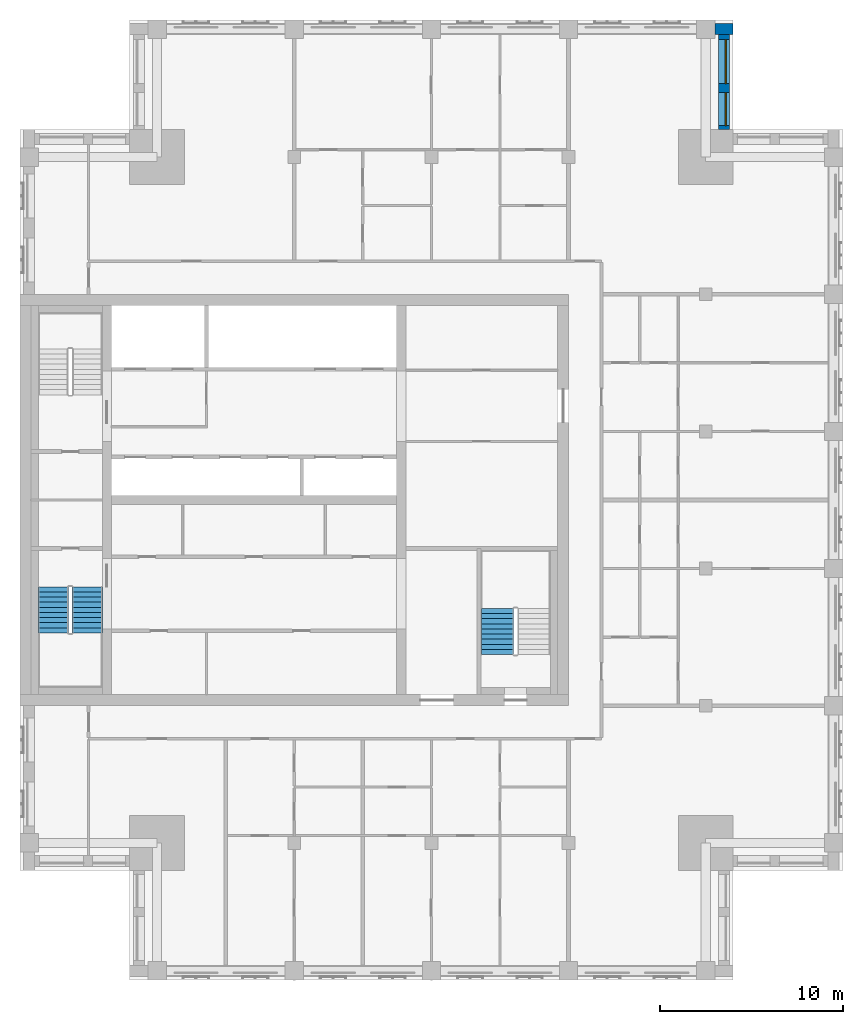
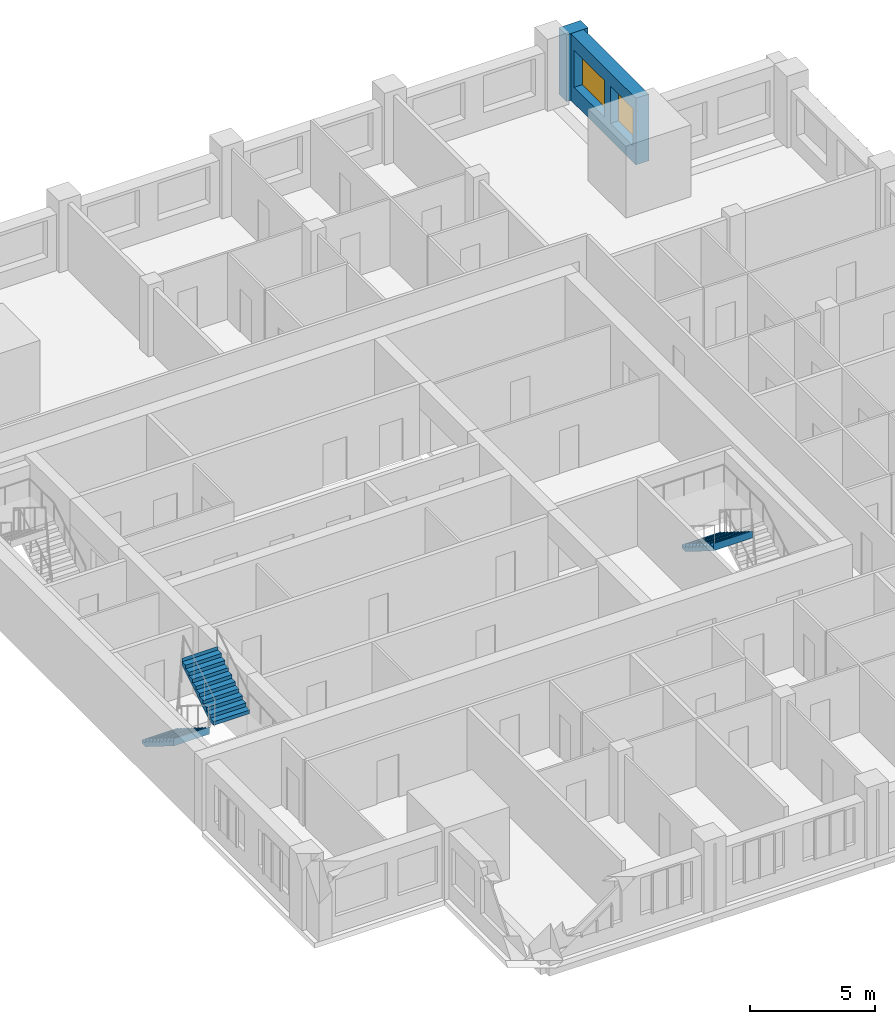
# One storey, part 8 of 10: 3 stair flights, 2 walls, 2 windows, 2 openings, 2 elements without a shape of their own.
"""IFC4 building model written with IfcOpenShell, lengths in metres."""

from ifc_helpers import new_model, si_unit, direction, frame, frame_2d, origin, place, context, subcontext, project, spatial, polyline, rectangle, outline, extrude, material, layer, layer_set, type_object, element, fill, aggregate, save


model = new_model("IFC4")

# Units and contexts
model_context = context("Model", 3, precision=1e-05, world=origin(), true_north=direction((0.0, 1.0)))
body_context = subcontext(model_context, "Body", "Model", "MODEL_VIEW")
ifc_project = project(units=[si_unit("LENGTHUNIT", "METRE"), si_unit("AREAUNIT", "SQUARE_METRE"), si_unit("VOLUMEUNIT", "CUBIC_METRE"), si_unit("PLANEANGLEUNIT", "RADIAN"), si_unit("MASSUNIT", "GRAM", prefix="KILO")], contexts=[model_context])

# Site, building, storey
site_placement = place(None, origin())
site = spatial("IfcSite", under=ifc_project, at=site_placement, CompositionType="ELEMENT")
building_placement = place(site_placement, origin())
building = spatial("IfcBuilding", under=site, at=building_placement, Name="Tamorin Gate", CompositionType="ELEMENT")
storey_placement = place(building_placement, frame((0.0, 0.0, 280.199951171875)))
storey = spatial("IfcBuildingStorey", under=building, at=storey_placement, Name="L70", CompositionType="ELEMENT", Elevation=280.199951171875)

# Wall, openings, windows
ifc_material_1 = material(Name="Precast concrete C40/50", Category="concrete")
ifc_layer = layer(ifc_material_1, 0.60009765625)
ifc_layer_set = layer_set([ifc_layer], Name="Precast concrete C40/50")
wall_type = type_object("IfcWallType", Name="Board-marked concrete facade panel 600", PredefinedType="SOLIDWALL", material=ifc_layer_set)
wall_1_placement = place(storey_placement, frame((68.5, 91.5, 0.0), z_axis=(0.0, 0.0, 1.0), x_axis=(0.0, 1.0, 0.0)))
wall_1 = element("IfcWall", 1, at=wall_1_placement, inside=storey, type_object=wall_type, Name="Facade panel", PredefinedType="SOLIDWALL", context=body_context, shape_type="SweptSolid", body=[
    extrude(rectangle(XDim=5.199951171875, YDim=0.60009765625, at=frame_2d((2.60009765625, 0.0))), origin(), (0.0, 0.0, 1.0), 3.25),
])
opening_1_placement = place(wall_1_placement, frame((0.22509765625, 0.0, 0.800048828125)))
opening_1 = element("IfcOpeningElement", 2, at=opening_1_placement, cuts=wall_1, Name="Opening WN2", PredefinedType="OPENING", context=body_context, shape_type="SweptSolid", body=[
    extrude(rectangle(XDim=1.800048828125, YDim=1.800048828125, at=frame_2d((0.89990234375, 0.89990234375))), frame((0.0, 0.31005859375, 0.0), z_axis=(0.0, -1.0, 0.0), x_axis=(1.0, 0.0, 0.0)), (0.0, 0.0, 1.0), 0.6201171875),
])
opening_2_placement = place(wall_1_placement, frame((2.52490234375, 0.0, 0.800048828125)))
opening_2 = element("IfcOpeningElement", 3, at=opening_2_placement, cuts=wall_1, Name="Opening WN1", PredefinedType="OPENING", context=body_context, shape_type="SweptSolid", body=[
    extrude(rectangle(XDim=2.39990234375, YDim=1.800048828125, at=frame_2d((1.199951171875, 0.89990234375))), frame((0.0, 0.31005859375, 0.0), z_axis=(0.0, -1.0, 0.0), x_axis=(1.0, 0.0, 0.0)), (0.0, 0.0, 1.0), 0.6201171875),
])
ifc_material_2 = material(Name="Clear glass in aluminium frame", Category="aluminium")
window_type_1 = type_object("IfcWindowType", Name="Deep-set window 1800x1800", PartitioningType="SINGLE_PANEL", PredefinedType="WINDOW", material=ifc_material_2)
window_1_placement = place(opening_1_placement, origin())
window_1 = element("IfcWindow", 4, at=window_1_placement, inside=storey, type_object=window_type_1, Name="Deep-set window", OverallHeight=1.800048828125, OverallWidth=1.800048828125, PartitioningType="SINGLE_PANEL", PredefinedType="WINDOW", context=body_context, shape_type="SweptSolid", body=[
    extrude(rectangle(XDim=1.800048828125, YDim=1.800048828125, at=frame_2d((0.89990234375, 0.89990234375))), frame((0.0, -0.070068359375, 0.0), z_axis=(0.0, -1.0, 0.0), x_axis=(1.0, 0.0, 0.0)), (0.0, 0.0, 1.0), 0.06005859375),
])
fill(opening_1, window_1)
window_type_2 = type_object("IfcWindowType", Name="Deep-set window 2400x1800", PartitioningType="SINGLE_PANEL", PredefinedType="WINDOW", material=ifc_material_2)
window_2_placement = place(opening_2_placement, origin())
window_2 = element("IfcWindow", 5, at=window_2_placement, inside=storey, type_object=window_type_2, Name="Deep-set window", OverallHeight=1.800048828125, OverallWidth=2.39990234375, PartitioningType="SINGLE_PANEL", PredefinedType="WINDOW", context=body_context, shape_type="SweptSolid", body=[
    extrude(rectangle(XDim=2.39990234375, YDim=1.800048828125, at=frame_2d((1.199951171875, 0.89990234375))), frame((0.0, -0.070068359375, 0.0), z_axis=(0.0, -1.0, 0.0), x_axis=(1.0, 0.0, 0.0)), (0.0, 0.0, 1.0), 0.06005859375),
])
fill(opening_2, window_2)

# Wall
wall_2_placement = place(storey_placement, frame((69.0, 97.0, 0.0), z_axis=(0.0, 0.0, 1.0), x_axis=(-1.0, 0.0, 0.0)))
element("IfcWall", 6, at=wall_2_placement, inside=storey, type_object=wall_type, Name="Facade panel", PredefinedType="SOLIDWALL", context=body_context, shape_type="SweptSolid", body=[
    extrude(rectangle(XDim=1.0, YDim=0.60009765625, at=frame_2d((0.5, 0.0))), origin(), (0.0, 0.0, 1.0), 3.25),
])

# Stair, stair flights
ifc_material_3 = material(Name="Concrete C40/50", Category="concrete")
stair_type = type_object("IfcStairType", Name="Exit stair", PredefinedType="HALF_TURN_STAIR", material=ifc_material_3)
stair_1_placement = place(storey_placement, origin())
stair_1 = element("IfcStair", 7, at=stair_1_placement, inside=storey, type_object=stair_type, Name="L70 stair ST1", PredefinedType="HALF_TURN_STAIR")
stair_flight_type = type_object("IfcStairFlightType", Name="Exit stair flight", PredefinedType="STRAIGHT", material=ifc_material_3)
stair_flight_1_placement = place(storey_placement, frame((31.824951171875, 66.5, 0.0), z_axis=(0.0, 0.0, 1.0), x_axis=(0.0, -1.0, 0.0)))
stair_flight_1 = element("IfcStairFlight", 8, at=stair_flight_1_placement, type_object=stair_flight_type, Name="ST1 flight 1", NumberOfRisers=10, NumberOfTreads=9, PredefinedType="STRAIGHT", RiserHeight=0.175, TreadLength=0.28, context=body_context, shape_type="SweptSolid", body=[
    extrude(outline(polyline([(-0.00048828125, 0.0), (-0.00048828125, 0.001708984375), (-0.00048828125, 0.00341796875), (-0.00048828125, 0.005126953125), (-0.00048828125, 0.0068359375), (-0.00048828125, 0.008544921875), (-0.00048828125, 0.010498046875), (-0.00048828125, 0.01220703125), (-0.00048828125, 0.013916015625), (-0.00048828125, 0.015625), (-0.00048828125, 0.017333984375), (-0.00048828125, 0.01904296875), (-0.00048828125, 0.020751953125), (-0.00048828125, 0.0224609375), (-0.00048828125, 0.024169921875), (-0.00048828125, 0.02587890625), (-0.00048828125, 0.02783203125), (-0.00048828125, 0.029541015625), (-0.00048828125, 0.03125), (-0.00048828125, 0.032958984375), (-0.00048828125, 0.03466796875), (-0.00048828125, 0.036376953125), (-0.00048828125, 0.0380859375), (-0.00048828125, 0.039794921875), (-0.00048828125, 0.04150390625), (-0.00048828125, 0.043212890625), (-0.00048828125, 0.045166015625), (-0.00048828125, 0.046875), (-0.00048828125, 0.048583984375), (-0.00048828125, 0.05029296875), (-0.00048828125, 0.052001953125), (-0.00048828125, 0.0537109375), (-0.00048828125, 0.055419921875), (-0.00048828125, 0.05712890625), (-0.00048828125, 0.058837890625), (-0.00048828125, 0.060546875), (-0.00048828125, 0.062255859375), (-0.00048828125, 0.064208984375), (-0.00048828125, 0.06591796875), (-0.00048828125, 0.067626953125), (-0.00048828125, 0.0693359375), (-0.00048828125, 0.071044921875), (-0.00048828125, 0.07275390625), (-0.00048828125, 0.074462890625), (-0.00048828125, 0.076171875), (-0.00048828125, 0.077880859375), (-0.00048828125, 0.07958984375), (-0.00048828125, 0.08154296875), (-0.00048828125, 0.083251953125), (-0.00048828125, 0.0849609375), (-0.00048828125, 0.086669921875), (-0.00048828125, 0.08837890625), (-0.00048828125, 0.090087890625), (-0.00048828125, 0.091796875), (-0.00048828125, 0.093505859375), (-0.00048828125, 0.09521484375), (-0.00048828125, 0.096923828125), (-0.00048828125, 0.098876953125), (-0.00048828125, 0.1005859375), (-0.00048828125, 0.102294921875), (-0.00048828125, 0.10400390625), (-0.00048828125, 0.105712890625), (-0.00048828125, 0.107421875), (-0.00048828125, 0.109130859375), (-0.00048828125, 0.11083984375), (-0.00048828125, 0.112548828125), (-0.00048828125, 0.1142578125), (-0.00048828125, 0.1162109375), (-0.00048828125, 0.117919921875), (-0.00048828125, 0.11962890625), (-0.00048828125, 0.121337890625), (-0.00048828125, 0.123046875), (-0.00048828125, 0.124755859375), (-0.00048828125, 0.12646484375), (-0.00048828125, 0.128173828125), (-0.00048828125, 0.1298828125), (-0.00048828125, 0.131591796875), (-0.00048828125, 0.13330078125), (-0.00048828125, 0.13525390625), (-0.00048828125, 0.136962890625), (-0.00048828125, 0.138671875), (-0.00048828125, 0.140380859375), (-0.00048828125, 0.14208984375), (-0.00048828125, 0.143798828125), (-0.00048828125, 0.1455078125), (-0.00048828125, 0.147216796875), (-0.00048828125, 0.14892578125), (-0.00048828125, 0.150634765625), (-0.00048828125, 0.152587890625), (-0.00048828125, 0.154296875), (-0.00048828125, 0.156005859375), (-0.00048828125, 0.15771484375), (-0.00048828125, 0.159423828125), (-0.00048828125, 0.1611328125), (-0.00048828125, 0.162841796875), (-0.00048828125, 0.16455078125), (-0.00048828125, 0.166259765625), (-0.00048828125, 0.16796875), (-0.00048828125, 0.169921875), (-0.00048828125, 0.171630859375), (-0.00048828125, 0.17333984375), (-0.00048828125, 0.175048828125), (0.280029296875, 0.175048828125), (0.280029296875, 0.35009765625), (0.56005859375, 0.35009765625), (0.56005859375, 0.52490234375), (0.840087890625, 0.52490234375), (0.840087890625, 0.699951171875), (1.1201171875, 0.699951171875), (1.1201171875, 0.875), (1.39990234375, 0.875), (1.39990234375, 1.050048828125), (1.679931640625, 1.050048828125), (1.679931640625, 1.22509765625), (1.9599609375, 1.22509765625), (1.9599609375, 1.39990234375), (2.239990234375, 1.39990234375), (2.239990234375, 1.574951171875), (2.52001953125, 1.574951171875), (2.52001953125, 1.75), (2.5205078125, 1.75), (2.5205078125, 1.74658203125), (2.5205078125, 1.742919921875), (2.5205078125, 1.739501953125), (2.5205078125, 1.736083984375), (2.5205078125, 1.732666015625), (2.5205078125, 1.72900390625), (2.5205078125, 1.7255859375), (2.5205078125, 1.72216796875), (2.5205078125, 1.71875), (2.5205078125, 1.715087890625), (2.5205078125, 1.711669921875), (2.5205078125, 1.708251953125), (2.5205078125, 1.704833984375), (2.5205078125, 1.701171875), (2.5205078125, 1.69775390625), (2.5205078125, 1.6943359375), (2.5205078125, 1.690673828125), (2.5205078125, 1.687255859375), (2.5205078125, 1.683837890625), (2.5205078125, 1.680419921875), (2.5205078125, 1.6767578125), (2.5205078125, 1.67333984375), (2.5205078125, 1.669921875), (2.5205078125, 1.66650390625), (2.5205078125, 1.662841796875), (2.5205078125, 1.659423828125), (2.5205078125, 1.656005859375), (2.5205078125, 1.652587890625), (2.5205078125, 1.64892578125), (2.5205078125, 1.6455078125), (2.5205078125, 1.64208984375), (2.5205078125, 1.638427734375), (2.5205078125, 1.635009765625), (2.5205078125, 1.631591796875), (2.5205078125, 1.628173828125), (2.5205078125, 1.62451171875), (2.5205078125, 1.62109375), (2.5205078125, 1.61767578125), (2.5205078125, 1.6142578125), (2.5205078125, 1.610595703125), (2.5205078125, 1.607177734375), (2.5205078125, 1.603759765625), (2.5205078125, 1.600341796875), (2.5205078125, 1.5966796875), (2.5205078125, 1.59326171875), (2.5205078125, 1.58984375), (2.5205078125, 1.58642578125), (2.5205078125, 1.582763671875), (2.5205078125, 1.579345703125), (2.5205078125, 1.575927734375), (2.5205078125, 1.572265625), (2.5205078125, 1.56884765625), (2.5205078125, 1.5654296875), (2.5205078125, 1.56201171875), (2.5205078125, 1.558349609375), (2.5205078125, 1.554931640625), (2.5205078125, 1.551513671875), (2.5205078125, 1.548095703125), (2.5205078125, 1.54443359375), (2.5205078125, 1.541015625), (2.5205078125, 1.53759765625), (2.5205078125, 1.5341796875), (2.5205078125, 1.530517578125), (2.5205078125, 1.527099609375), (2.5205078125, 1.523681640625), (2.5205078125, 1.52001953125), (2.5205078125, 1.5166015625), (2.5205078125, 1.51318359375), (2.5205078125, 1.509765625), (2.5205078125, 1.506103515625), (2.5205078125, 1.502685546875), (2.5205078125, 1.499267578125), (2.5205078125, 1.495849609375), (2.5205078125, 1.4921875), (2.5205078125, 1.48876953125), (2.5205078125, 1.4853515625), (2.5205078125, 1.48193359375), (2.5205078125, 1.478271484375), (2.5205078125, 1.474853515625), (2.5205078125, 1.471435546875), (2.5205078125, 1.4677734375), (2.5205078125, 1.46435546875), (2.5205078125, 1.4609375), (2.5205078125, 1.45751953125), (2.5205078125, 1.453857421875), (2.5205078125, 1.450439453125), (2.5205078125, 1.447021484375), (2.5205078125, 1.443603515625), (2.5205078125, 1.43994140625), (2.5205078125, 1.4365234375), (2.5205078125, 1.43310546875), (2.5205078125, 1.4296875), (2.5205078125, 1.426025390625), (2.5205078125, 1.422607421875), (2.5205078125, 1.419189453125), (2.5205078125, 1.41552734375), (2.5205078125, 1.412109375), (2.5205078125, 1.40869140625), (2.5205078125, 1.4052734375), (2.5205078125, 1.401611328125), (2.5205078125, 1.398193359375), (2.52001953125, 1.398193359375), (0.28271484375, 0.0), (-0.00048828125, 0.0)])), frame((0.0, 0.824951171875, 0.0), z_axis=(0.0, -1.0, 0.0), x_axis=(1.0, 0.0, 0.0)), (0.0, 0.0, 1.0), 1.64990234375),
])
stair_flight_2_placement = place(storey_placement, frame((33.675048828125, 63.97998046875, 1.75), z_axis=(0.0, 0.0, 1.0), x_axis=(0.0, 1.0, 0.0)))
stair_flight_2 = element("IfcStairFlight", 9, at=stair_flight_2_placement, type_object=stair_flight_type, Name="ST1 flight 2", NumberOfRisers=10, NumberOfTreads=9, PredefinedType="STRAIGHT", RiserHeight=0.175, TreadLength=0.28, context=body_context, shape_type="SweptSolid", body=[
    extrude(outline(polyline([(-0.00048828125, 0.0), (-0.00048828125, 0.001708984375), (-0.00048828125, 0.00341796875), (-0.00048828125, 0.005126953125), (-0.00048828125, 0.0068359375), (-0.00048828125, 0.008544921875), (-0.00048828125, 0.010498046875), (-0.00048828125, 0.01220703125), (-0.00048828125, 0.013916015625), (-0.00048828125, 0.015625), (-0.00048828125, 0.017333984375), (-0.00048828125, 0.01904296875), (-0.00048828125, 0.020751953125), (-0.00048828125, 0.0224609375), (-0.00048828125, 0.024169921875), (-0.00048828125, 0.02587890625), (-0.00048828125, 0.02783203125), (-0.00048828125, 0.029541015625), (-0.00048828125, 0.03125), (-0.00048828125, 0.032958984375), (-0.00048828125, 0.03466796875), (-0.00048828125, 0.036376953125), (-0.00048828125, 0.0380859375), (-0.00048828125, 0.039794921875), (-0.00048828125, 0.04150390625), (-0.00048828125, 0.043212890625), (-0.00048828125, 0.045166015625), (-0.00048828125, 0.046875), (-0.00048828125, 0.048583984375), (-0.00048828125, 0.05029296875), (-0.00048828125, 0.052001953125), (-0.00048828125, 0.0537109375), (-0.00048828125, 0.055419921875), (-0.00048828125, 0.05712890625), (-0.00048828125, 0.058837890625), (-0.00048828125, 0.060546875), (-0.00048828125, 0.062255859375), (-0.00048828125, 0.064208984375), (-0.00048828125, 0.06591796875), (-0.00048828125, 0.067626953125), (-0.00048828125, 0.0693359375), (-0.00048828125, 0.071044921875), (-0.00048828125, 0.07275390625), (-0.00048828125, 0.074462890625), (-0.00048828125, 0.076171875), (-0.00048828125, 0.077880859375), (-0.00048828125, 0.07958984375), (-0.00048828125, 0.08154296875), (-0.00048828125, 0.083251953125), (-0.00048828125, 0.0849609375), (-0.00048828125, 0.086669921875), (-0.00048828125, 0.08837890625), (-0.00048828125, 0.090087890625), (-0.00048828125, 0.091796875), (-0.00048828125, 0.093505859375), (-0.00048828125, 0.09521484375), (-0.00048828125, 0.096923828125), (-0.00048828125, 0.098876953125), (-0.00048828125, 0.1005859375), (-0.00048828125, 0.102294921875), (-0.00048828125, 0.10400390625), (-0.00048828125, 0.105712890625), (-0.00048828125, 0.107421875), (-0.00048828125, 0.109130859375), (-0.00048828125, 0.11083984375), (-0.00048828125, 0.112548828125), (-0.00048828125, 0.1142578125), (-0.00048828125, 0.1162109375), (-0.00048828125, 0.117919921875), (-0.00048828125, 0.11962890625), (-0.00048828125, 0.121337890625), (-0.00048828125, 0.123046875), (-0.00048828125, 0.124755859375), (-0.00048828125, 0.12646484375), (-0.00048828125, 0.128173828125), (-0.00048828125, 0.1298828125), (-0.00048828125, 0.131591796875), (-0.00048828125, 0.13330078125), (-0.00048828125, 0.13525390625), (-0.00048828125, 0.136962890625), (-0.00048828125, 0.138671875), (-0.00048828125, 0.140380859375), (-0.00048828125, 0.14208984375), (-0.00048828125, 0.143798828125), (-0.00048828125, 0.1455078125), (-0.00048828125, 0.147216796875), (-0.00048828125, 0.14892578125), (-0.00048828125, 0.150634765625), (-0.00048828125, 0.152587890625), (-0.00048828125, 0.154296875), (-0.00048828125, 0.156005859375), (-0.00048828125, 0.15771484375), (-0.00048828125, 0.159423828125), (-0.00048828125, 0.1611328125), (-0.00048828125, 0.162841796875), (-0.00048828125, 0.16455078125), (-0.00048828125, 0.166259765625), (-0.00048828125, 0.16796875), (-0.00048828125, 0.169921875), (-0.00048828125, 0.171630859375), (-0.00048828125, 0.17333984375), (-0.00048828125, 0.175048828125), (0.280029296875, 0.175048828125), (0.280029296875, 0.35009765625), (0.56005859375, 0.35009765625), (0.56005859375, 0.52490234375), (0.840087890625, 0.52490234375), (0.840087890625, 0.699951171875), (1.1201171875, 0.699951171875), (1.1201171875, 0.875), (1.39990234375, 0.875), (1.39990234375, 1.050048828125), (1.679931640625, 1.050048828125), (1.679931640625, 1.22509765625), (1.9599609375, 1.22509765625), (1.9599609375, 1.39990234375), (2.239990234375, 1.39990234375), (2.239990234375, 1.574951171875), (2.52001953125, 1.574951171875), (2.52001953125, 1.75), (2.5205078125, 1.75), (2.5205078125, 1.74658203125), (2.5205078125, 1.742919921875), (2.5205078125, 1.739501953125), (2.5205078125, 1.736083984375), (2.5205078125, 1.732666015625), (2.5205078125, 1.72900390625), (2.5205078125, 1.7255859375), (2.5205078125, 1.72216796875), (2.5205078125, 1.71875), (2.5205078125, 1.715087890625), (2.5205078125, 1.711669921875), (2.5205078125, 1.708251953125), (2.5205078125, 1.704833984375), (2.5205078125, 1.701171875), (2.5205078125, 1.69775390625), (2.5205078125, 1.6943359375), (2.5205078125, 1.690673828125), (2.5205078125, 1.687255859375), (2.5205078125, 1.683837890625), (2.5205078125, 1.680419921875), (2.5205078125, 1.6767578125), (2.5205078125, 1.67333984375), (2.5205078125, 1.669921875), (2.5205078125, 1.66650390625), (2.5205078125, 1.662841796875), (2.5205078125, 1.659423828125), (2.5205078125, 1.656005859375), (2.5205078125, 1.652587890625), (2.5205078125, 1.64892578125), (2.5205078125, 1.6455078125), (2.5205078125, 1.64208984375), (2.5205078125, 1.638427734375), (2.5205078125, 1.635009765625), (2.5205078125, 1.631591796875), (2.5205078125, 1.628173828125), (2.5205078125, 1.62451171875), (2.5205078125, 1.62109375), (2.5205078125, 1.61767578125), (2.5205078125, 1.6142578125), (2.5205078125, 1.610595703125), (2.5205078125, 1.607177734375), (2.5205078125, 1.603759765625), (2.5205078125, 1.600341796875), (2.5205078125, 1.5966796875), (2.5205078125, 1.59326171875), (2.5205078125, 1.58984375), (2.5205078125, 1.58642578125), (2.5205078125, 1.582763671875), (2.5205078125, 1.579345703125), (2.5205078125, 1.575927734375), (2.5205078125, 1.572265625), (2.5205078125, 1.56884765625), (2.5205078125, 1.5654296875), (2.5205078125, 1.56201171875), (2.5205078125, 1.558349609375), (2.5205078125, 1.554931640625), (2.5205078125, 1.551513671875), (2.5205078125, 1.548095703125), (2.5205078125, 1.54443359375), (2.5205078125, 1.541015625), (2.5205078125, 1.53759765625), (2.5205078125, 1.5341796875), (2.5205078125, 1.530517578125), (2.5205078125, 1.527099609375), (2.5205078125, 1.523681640625), (2.5205078125, 1.52001953125), (2.5205078125, 1.5166015625), (2.5205078125, 1.51318359375), (2.5205078125, 1.509765625), (2.5205078125, 1.506103515625), (2.5205078125, 1.502685546875), (2.5205078125, 1.499267578125), (2.5205078125, 1.495849609375), (2.5205078125, 1.4921875), (2.5205078125, 1.48876953125), (2.5205078125, 1.4853515625), (2.5205078125, 1.48193359375), (2.5205078125, 1.478271484375), (2.5205078125, 1.474853515625), (2.5205078125, 1.471435546875), (2.5205078125, 1.4677734375), (2.5205078125, 1.46435546875), (2.5205078125, 1.4609375), (2.5205078125, 1.45751953125), (2.5205078125, 1.453857421875), (2.5205078125, 1.450439453125), (2.5205078125, 1.447021484375), (2.5205078125, 1.443603515625), (2.5205078125, 1.43994140625), (2.5205078125, 1.4365234375), (2.5205078125, 1.43310546875), (2.5205078125, 1.4296875), (2.5205078125, 1.426025390625), (2.5205078125, 1.422607421875), (2.5205078125, 1.419189453125), (2.5205078125, 1.41552734375), (2.5205078125, 1.412109375), (2.5205078125, 1.40869140625), (2.5205078125, 1.4052734375), (2.5205078125, 1.401611328125), (2.5205078125, 1.398193359375), (2.52001953125, 1.398193359375), (0.28271484375, 0.0), (-0.00048828125, 0.0)])), frame((0.0, 0.824951171875, 0.0), z_axis=(0.0, -1.0, 0.0), x_axis=(1.0, 0.0, 0.0)), (0.0, 0.0, 1.0), 1.64990234375),
])
aggregate(stair_1, [stair_flight_1, stair_flight_2])

# Stair, stair flight
stair_2_placement = place(storey_placement, origin())
stair_2 = element("IfcStair", 10, at=stair_2_placement, inside=storey, type_object=stair_type, Name="L70 stair ST3", PredefinedType="HALF_TURN_STAIR")
stair_flight_3_placement = place(storey_placement, frame((56.10009765625, 65.320068359375, 1.75), z_axis=(0.0, 0.0, 1.0), x_axis=(0.0, -1.0, 0.0)))
stair_flight_3 = element("IfcStairFlight", 11, at=stair_flight_3_placement, type_object=stair_flight_type, Name="ST3 flight 2", NumberOfRisers=10, NumberOfTreads=9, PredefinedType="STRAIGHT", RiserHeight=0.175, TreadLength=0.28, context=body_context, shape_type="SweptSolid", body=[
    extrude(outline(polyline([(-0.00048828125, 0.0), (-0.00048828125, 0.001708984375), (-0.00048828125, 0.00341796875), (-0.00048828125, 0.005126953125), (-0.00048828125, 0.0068359375), (-0.00048828125, 0.008544921875), (-0.00048828125, 0.010498046875), (-0.00048828125, 0.01220703125), (-0.00048828125, 0.013916015625), (-0.00048828125, 0.015625), (-0.00048828125, 0.017333984375), (-0.00048828125, 0.01904296875), (-0.00048828125, 0.020751953125), (-0.00048828125, 0.0224609375), (-0.00048828125, 0.024169921875), (-0.00048828125, 0.02587890625), (-0.00048828125, 0.02783203125), (-0.00048828125, 0.029541015625), (-0.00048828125, 0.03125), (-0.00048828125, 0.032958984375), (-0.00048828125, 0.03466796875), (-0.00048828125, 0.036376953125), (-0.00048828125, 0.0380859375), (-0.00048828125, 0.039794921875), (-0.00048828125, 0.04150390625), (-0.00048828125, 0.043212890625), (-0.00048828125, 0.045166015625), (-0.00048828125, 0.046875), (-0.00048828125, 0.048583984375), (-0.00048828125, 0.05029296875), (-0.00048828125, 0.052001953125), (-0.00048828125, 0.0537109375), (-0.00048828125, 0.055419921875), (-0.00048828125, 0.05712890625), (-0.00048828125, 0.058837890625), (-0.00048828125, 0.060546875), (-0.00048828125, 0.062255859375), (-0.00048828125, 0.064208984375), (-0.00048828125, 0.06591796875), (-0.00048828125, 0.067626953125), (-0.00048828125, 0.0693359375), (-0.00048828125, 0.071044921875), (-0.00048828125, 0.07275390625), (-0.00048828125, 0.074462890625), (-0.00048828125, 0.076171875), (-0.00048828125, 0.077880859375), (-0.00048828125, 0.07958984375), (-0.00048828125, 0.08154296875), (-0.00048828125, 0.083251953125), (-0.00048828125, 0.0849609375), (-0.00048828125, 0.086669921875), (-0.00048828125, 0.08837890625), (-0.00048828125, 0.090087890625), (-0.00048828125, 0.091796875), (-0.00048828125, 0.093505859375), (-0.00048828125, 0.09521484375), (-0.00048828125, 0.096923828125), (-0.00048828125, 0.098876953125), (-0.00048828125, 0.1005859375), (-0.00048828125, 0.102294921875), (-0.00048828125, 0.10400390625), (-0.00048828125, 0.105712890625), (-0.00048828125, 0.107421875), (-0.00048828125, 0.109130859375), (-0.00048828125, 0.11083984375), (-0.00048828125, 0.112548828125), (-0.00048828125, 0.1142578125), (-0.00048828125, 0.1162109375), (-0.00048828125, 0.117919921875), (-0.00048828125, 0.11962890625), (-0.00048828125, 0.121337890625), (-0.00048828125, 0.123046875), (-0.00048828125, 0.124755859375), (-0.00048828125, 0.12646484375), (-0.00048828125, 0.128173828125), (-0.00048828125, 0.1298828125), (-0.00048828125, 0.131591796875), (-0.00048828125, 0.13330078125), (-0.00048828125, 0.13525390625), (-0.00048828125, 0.136962890625), (-0.00048828125, 0.138671875), (-0.00048828125, 0.140380859375), (-0.00048828125, 0.14208984375), (-0.00048828125, 0.143798828125), (-0.00048828125, 0.1455078125), (-0.00048828125, 0.147216796875), (-0.00048828125, 0.14892578125), (-0.00048828125, 0.150634765625), (-0.00048828125, 0.152587890625), (-0.00048828125, 0.154296875), (-0.00048828125, 0.156005859375), (-0.00048828125, 0.15771484375), (-0.00048828125, 0.159423828125), (-0.00048828125, 0.1611328125), (-0.00048828125, 0.162841796875), (-0.00048828125, 0.16455078125), (-0.00048828125, 0.166259765625), (-0.00048828125, 0.16796875), (-0.00048828125, 0.169921875), (-0.00048828125, 0.171630859375), (-0.00048828125, 0.17333984375), (-0.00048828125, 0.175048828125), (0.280029296875, 0.175048828125), (0.280029296875, 0.35009765625), (0.56005859375, 0.35009765625), (0.56005859375, 0.52490234375), (0.840087890625, 0.52490234375), (0.840087890625, 0.699951171875), (1.1201171875, 0.699951171875), (1.1201171875, 0.875), (1.39990234375, 0.875), (1.39990234375, 1.050048828125), (1.679931640625, 1.050048828125), (1.679931640625, 1.22509765625), (1.9599609375, 1.22509765625), (1.9599609375, 1.39990234375), (2.239990234375, 1.39990234375), (2.239990234375, 1.574951171875), (2.52001953125, 1.574951171875), (2.52001953125, 1.75), (2.5205078125, 1.75), (2.5205078125, 1.74658203125), (2.5205078125, 1.742919921875), (2.5205078125, 1.739501953125), (2.5205078125, 1.736083984375), (2.5205078125, 1.732666015625), (2.5205078125, 1.72900390625), (2.5205078125, 1.7255859375), (2.5205078125, 1.72216796875), (2.5205078125, 1.71875), (2.5205078125, 1.715087890625), (2.5205078125, 1.711669921875), (2.5205078125, 1.708251953125), (2.5205078125, 1.704833984375), (2.5205078125, 1.701171875), (2.5205078125, 1.69775390625), (2.5205078125, 1.6943359375), (2.5205078125, 1.690673828125), (2.5205078125, 1.687255859375), (2.5205078125, 1.683837890625), (2.5205078125, 1.680419921875), (2.5205078125, 1.6767578125), (2.5205078125, 1.67333984375), (2.5205078125, 1.669921875), (2.5205078125, 1.66650390625), (2.5205078125, 1.662841796875), (2.5205078125, 1.659423828125), (2.5205078125, 1.656005859375), (2.5205078125, 1.652587890625), (2.5205078125, 1.64892578125), (2.5205078125, 1.6455078125), (2.5205078125, 1.64208984375), (2.5205078125, 1.638427734375), (2.5205078125, 1.635009765625), (2.5205078125, 1.631591796875), (2.5205078125, 1.628173828125), (2.5205078125, 1.62451171875), (2.5205078125, 1.62109375), (2.5205078125, 1.61767578125), (2.5205078125, 1.6142578125), (2.5205078125, 1.610595703125), (2.5205078125, 1.607177734375), (2.5205078125, 1.603759765625), (2.5205078125, 1.600341796875), (2.5205078125, 1.5966796875), (2.5205078125, 1.59326171875), (2.5205078125, 1.58984375), (2.5205078125, 1.58642578125), (2.5205078125, 1.582763671875), (2.5205078125, 1.579345703125), (2.5205078125, 1.575927734375), (2.5205078125, 1.572265625), (2.5205078125, 1.56884765625), (2.5205078125, 1.5654296875), (2.5205078125, 1.56201171875), (2.5205078125, 1.558349609375), (2.5205078125, 1.554931640625), (2.5205078125, 1.551513671875), (2.5205078125, 1.548095703125), (2.5205078125, 1.54443359375), (2.5205078125, 1.541015625), (2.5205078125, 1.53759765625), (2.5205078125, 1.5341796875), (2.5205078125, 1.530517578125), (2.5205078125, 1.527099609375), (2.5205078125, 1.523681640625), (2.5205078125, 1.52001953125), (2.5205078125, 1.5166015625), (2.5205078125, 1.51318359375), (2.5205078125, 1.509765625), (2.5205078125, 1.506103515625), (2.5205078125, 1.502685546875), (2.5205078125, 1.499267578125), (2.5205078125, 1.495849609375), (2.5205078125, 1.4921875), (2.5205078125, 1.48876953125), (2.5205078125, 1.4853515625), (2.5205078125, 1.48193359375), (2.5205078125, 1.478271484375), (2.5205078125, 1.474853515625), (2.5205078125, 1.471435546875), (2.5205078125, 1.4677734375), (2.5205078125, 1.46435546875), (2.5205078125, 1.4609375), (2.5205078125, 1.45751953125), (2.5205078125, 1.453857421875), (2.5205078125, 1.450439453125), (2.5205078125, 1.447021484375), (2.5205078125, 1.443603515625), (2.5205078125, 1.43994140625), (2.5205078125, 1.4365234375), (2.5205078125, 1.43310546875), (2.5205078125, 1.4296875), (2.5205078125, 1.426025390625), (2.5205078125, 1.422607421875), (2.5205078125, 1.419189453125), (2.5205078125, 1.41552734375), (2.5205078125, 1.412109375), (2.5205078125, 1.40869140625), (2.5205078125, 1.4052734375), (2.5205078125, 1.401611328125), (2.5205078125, 1.398193359375), (2.52001953125, 1.398193359375), (0.28271484375, 0.0), (-0.00048828125, 0.0)])), frame((0.0, 0.89990234375, 0.0), z_axis=(0.0, -1.0, 0.0), x_axis=(1.0, 0.0, 0.0)), (0.0, 0.0, 1.0), 1.800048828125),
])
aggregate(stair_2, [stair_flight_3])

save(model, "model.ifc")
